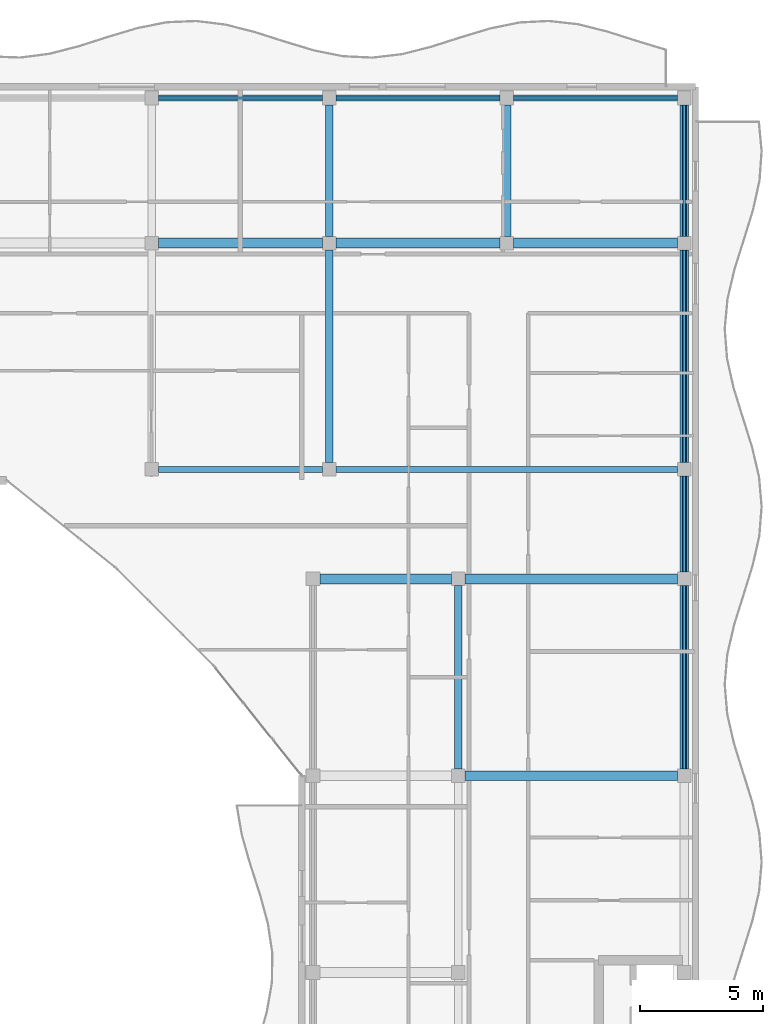
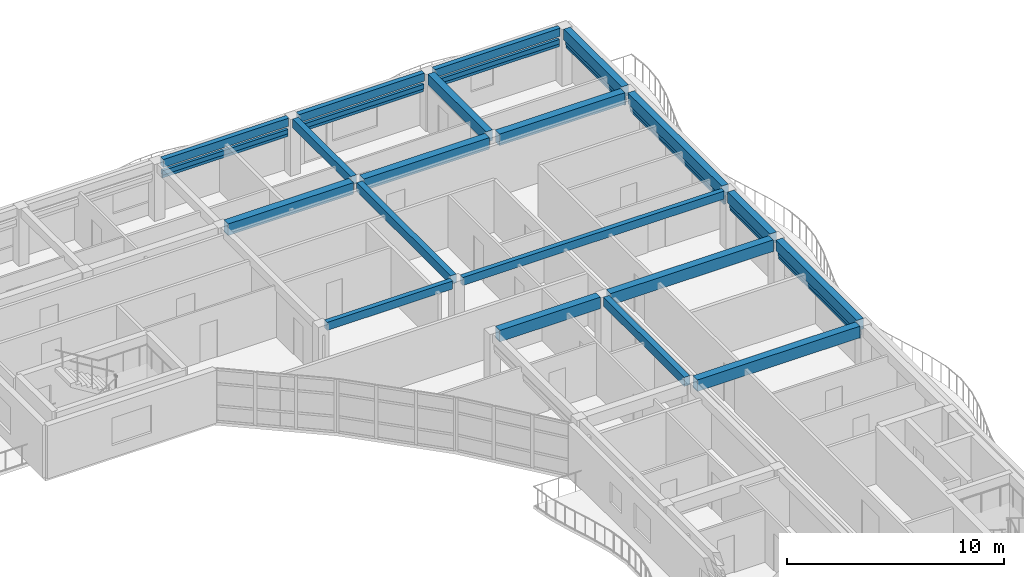
# One storey, part 18 of 49: 19 beams, 14 members.
"""IFC4 building model written with IfcOpenShell, lengths in metres."""

from ifc_helpers import new_model, si_unit, direction, frame, origin, origin_2d, place, context, subcontext, project, spatial, rectangle, hollow_rectangle, extrude, material, material_profile, profile_set, type_object, element, save


model = new_model("IFC4")

# Units and contexts
model_context = context("Model", 3, precision=1e-05, world=origin(), true_north=direction((0.0, 1.0)))
body_context = subcontext(model_context, "Body", "Model", "MODEL_VIEW")
ifc_project = project(units=[si_unit("LENGTHUNIT", "METRE"), si_unit("AREAUNIT", "SQUARE_METRE"), si_unit("VOLUMEUNIT", "CUBIC_METRE"), si_unit("PLANEANGLEUNIT", "RADIAN"), si_unit("MASSUNIT", "GRAM", prefix="KILO")], contexts=[model_context])

# Site, building, storey
site_placement = place(None, origin())
site = spatial("IfcSite", under=ifc_project, at=site_placement, CompositionType="ELEMENT")
building_placement = place(site_placement, origin())
building = spatial("IfcBuilding", under=site, at=building_placement, Name="Keldmere Railside Commons", CompositionType="ELEMENT")
storey_placement = place(building_placement, frame((0.0, 0.0, 29.760009765625)))
storey = spatial("IfcBuildingStorey", under=building, at=storey_placement, Name="L09", CompositionType="ELEMENT", Elevation=29.760009765625)

# Members
ifc_material_1 = material(Name="Steel F-36 (S355)", Category="steel")
ifc_material_profile_1 = material_profile(ifc_material_1, hollow_rectangle(XDim=0.14990234375, YDim=0.25, WallThickness=0.010009765625, at=origin_2d()), Name="RHS-250x150x10")
ifc_profile_set_1 = profile_set([ifc_material_profile_1], Name="Steel F-36 (S355)")
member_type_1 = type_object("IfcMemberType", Name="Balcony Continuous Planted Trough RHS250x150", PredefinedType="CHORD", material=ifc_profile_set_1)
for number, where, z_axis, x_axis, name in (
    (1, (162.1650390625, 115.550048828125, 2.4150390625), (1.0, 0.0, 0.0), (0.0, 1.0, 0.0), "PLT-1 MEM-BPLT-0961"),
    (2, (169.385009765625, 115.550048828125, 2.4150390625), (1.0, 0.0, 0.0), (0.0, 1.0, 0.0), "PLT-1 MEM-BPLT-0963"),
    (3, (176.60498046875, 115.550048828125, 2.4150390625), (1.0, 0.0, 0.0), (0.0, 1.0, 0.0), "PLT-1 MEM-BPLT-0965"),
):
    element("IfcMember", number, at=place(storey_placement, frame(where, z_axis=z_axis, x_axis=x_axis)), inside=storey, type_object=member_type_1, Name=name, PredefinedType="CHORD", context=body_context, shape_type="SweptSolid", body=[
        extrude(hollow_rectangle(XDim=0.14990234375, YDim=0.25, WallThickness=0.010009765625, at=origin_2d()), origin(), (0.0, 0.0, 1.0), 6.669921875),
    ])
member_1_placement = place(storey_placement, frame((183.550048828125, 88.27490234375, 2.4150390625), z_axis=(0.0, 1.0, 0.0), x_axis=(-1.0, 0.0, 0.0)))
element("IfcMember", 4, at=member_1_placement, inside=storey, type_object=member_type_1, Name="PLT-1 MEM-BPLT-0975", PredefinedType="CHORD", context=body_context, shape_type="SweptSolid", body=[
    extrude(hollow_rectangle(XDim=0.14990234375, YDim=0.25, WallThickness=0.010009765625, at=origin_2d()), origin(), (0.0, 0.0, 1.0), 7.4501953125),
])
member_2_placement = place(storey_placement, frame((183.550048828125, 96.27490234375, 2.4150390625), z_axis=(0.0, 1.0, 0.0), x_axis=(-1.0, 0.0, 0.0)))
element("IfcMember", 5, at=member_2_placement, inside=storey, type_object=member_type_1, Name="PLT-1 MEM-BPLT-0977", PredefinedType="CHORD", context=body_context, shape_type="SweptSolid", body=[
    extrude(hollow_rectangle(XDim=0.14990234375, YDim=0.25, WallThickness=0.010009765625, at=origin_2d()), origin(), (0.0, 0.0, 1.0), 3.900146484375),
])
member_3_placement = place(storey_placement, frame((183.550048828125, 100.72509765625, 2.4150390625), z_axis=(0.0, 1.0, 0.0), x_axis=(-1.0, 0.0, 0.0)))
element("IfcMember", 6, at=member_3_placement, inside=storey, type_object=member_type_1, Name="PLT-1 MEM-BPLT-0979", PredefinedType="CHORD", context=body_context, shape_type="SweptSolid", body=[
    extrude(hollow_rectangle(XDim=0.14990234375, YDim=0.25, WallThickness=0.010009765625, at=origin_2d()), origin(), (0.0, 0.0, 1.0), 8.64990234375),
])
member_4_placement = place(storey_placement, frame((183.550048828125, 109.925048828125, 2.4150390625), z_axis=(0.0, 1.0, 0.0), x_axis=(-1.0, 0.0, 0.0)))
element("IfcMember", 7, at=member_4_placement, inside=storey, type_object=member_type_1, Name="PLT-1 MEM-BPLT-0981", PredefinedType="CHORD", context=body_context, shape_type="SweptSolid", body=[
    extrude(hollow_rectangle(XDim=0.14990234375, YDim=0.25, WallThickness=0.010009765625, at=origin_2d()), origin(), (0.0, 0.0, 1.0), 5.349853515625),
])

# Beams
ifc_material_2 = material(Name="Architectural Precast Concrete H-35 (C35/45)", Category="concrete")
ifc_material_profile_2 = material_profile(ifc_material_2, rectangle(XDim=0.25, YDim=0.449951171875, at=origin_2d()), Name="RC-250x450")
ifc_profile_set_2 = profile_set([ifc_material_profile_2], Name="Architectural Precast Concrete H-35 (C35/45)")
beam_type_1 = type_object("IfcBeamType", Name="Perimeter Precast Spandrel Beam 250x450", PredefinedType="SPANDREL", material=ifc_profile_set_2)
beam_1_placement = place(storey_placement, frame((162.1650390625, 100.449951171875, 2.97509765625), z_axis=(1.0, 0.0, 0.0), x_axis=(0.0, 1.0, 0.0)))
element("IfcBeam", 8, at=beam_1_placement, inside=storey, type_object=beam_type_1, Name="SPB-1 BM-L09-2299", PredefinedType="SPANDREL", context=body_context, shape_type="SweptSolid", body=[
    extrude(rectangle(XDim=0.25, YDim=0.449951171875, at=origin_2d()), origin(), (0.0, 0.0, 1.0), 6.669921875),
])
beam_2_placement = place(storey_placement, frame((169.385009765625, 100.449951171875, 2.97509765625), z_axis=(1.0, 0.0, 0.0), x_axis=(0.0, 1.0, 0.0)))
element("IfcBeam", 9, at=beam_2_placement, inside=storey, type_object=beam_type_1, Name="SPB-1 BM-L09-2300", PredefinedType="SPANDREL", context=body_context, shape_type="SweptSolid", body=[
    extrude(rectangle(XDim=0.25, YDim=0.449951171875, at=origin_2d()), origin(), (0.0, 0.0, 1.0), 13.889892578125),
])
for number, where, z_axis, x_axis, name in (
    (10, (162.1650390625, 115.550048828125, 2.97509765625), (1.0, 0.0, 0.0), (0.0, 1.0, 0.0), "SPB-1 BM-L09-2319"),
    (11, (169.385009765625, 115.550048828125, 2.97509765625), (1.0, 0.0, 0.0), (0.0, 1.0, 0.0), "SPB-1 BM-L09-2320"),
    (12, (176.60498046875, 115.550048828125, 2.97509765625), (1.0, 0.0, 0.0), (0.0, 1.0, 0.0), "SPB-1 BM-L09-2321"),
):
    element("IfcBeam", number, at=place(storey_placement, frame(where, z_axis=z_axis, x_axis=x_axis)), inside=storey, type_object=beam_type_1, Name=name, PredefinedType="SPANDREL", context=body_context, shape_type="SweptSolid", body=[
        extrude(rectangle(XDim=0.25, YDim=0.449951171875, at=origin_2d()), origin(), (0.0, 0.0, 1.0), 6.669921875),
    ])
ifc_material_3 = material(Name="Concrete H-30 (C30/37)", Category="concrete")
ifc_material_profile_3 = material_profile(ifc_material_3, rectangle(XDim=0.35009765625, YDim=0.60009765625, at=origin_2d()), Name="RC-350x600")
ifc_profile_set_3 = profile_set([ifc_material_profile_3], Name="Concrete H-30 (C30/37)")
beam_type_2 = type_object("IfcBeamType", Name="Residential Chord RC Beam 350x600", PredefinedType="BEAM", material=ifc_profile_set_3)
beam_3_placement = place(storey_placement, frame((176.330078125, 109.925048828125, 2.89990234375), z_axis=(0.0, 1.0, 0.0), x_axis=(-1.0, 0.0, 0.0)))
element("IfcBeam", 13, at=beam_3_placement, inside=storey, type_object=beam_type_2, Name="BG-4 BM-L09-2361", PredefinedType="BEAM", context=body_context, shape_type="SweptSolid", body=[
    extrude(rectangle(XDim=0.35009765625, YDim=0.60009765625, at=origin_2d()), origin(), (0.0, 0.0, 1.0), 5.349853515625),
])
beam_4_placement = place(storey_placement, frame((183.550048828125, 88.27490234375, 2.89990234375), z_axis=(0.0, 1.0, 0.0), x_axis=(-1.0, 0.0, 0.0)))
element("IfcBeam", 14, at=beam_4_placement, inside=storey, type_object=beam_type_2, Name="BG-4 BM-L09-2363", PredefinedType="BEAM", context=body_context, shape_type="SweptSolid", body=[
    extrude(rectangle(XDim=0.35009765625, YDim=0.60009765625, at=origin_2d()), origin(), (0.0, 0.0, 1.0), 7.4501953125),
])
beam_5_placement = place(storey_placement, frame((183.550048828125, 96.27490234375, 2.89990234375), z_axis=(0.0, 1.0, 0.0), x_axis=(-1.0, 0.0, 0.0)))
element("IfcBeam", 15, at=beam_5_placement, inside=storey, type_object=beam_type_2, Name="BG-4 BM-L09-2364", PredefinedType="BEAM", context=body_context, shape_type="SweptSolid", body=[
    extrude(rectangle(XDim=0.35009765625, YDim=0.60009765625, at=origin_2d()), origin(), (0.0, 0.0, 1.0), 3.900146484375),
])
beam_6_placement = place(storey_placement, frame((183.550048828125, 100.72509765625, 2.89990234375), z_axis=(0.0, 1.0, 0.0), x_axis=(-1.0, 0.0, 0.0)))
element("IfcBeam", 16, at=beam_6_placement, inside=storey, type_object=beam_type_2, Name="BG-4 BM-L09-2365", PredefinedType="BEAM", context=body_context, shape_type="SweptSolid", body=[
    extrude(rectangle(XDim=0.35009765625, YDim=0.60009765625, at=origin_2d()), origin(), (0.0, 0.0, 1.0), 8.64990234375),
])
beam_7_placement = place(storey_placement, frame((183.550048828125, 109.925048828125, 2.89990234375), z_axis=(0.0, 1.0, 0.0), x_axis=(-1.0, 0.0, 0.0)))
element("IfcBeam", 17, at=beam_7_placement, inside=storey, type_object=beam_type_2, Name="BG-4 BM-L09-2366", PredefinedType="BEAM", context=body_context, shape_type="SweptSolid", body=[
    extrude(rectangle(XDim=0.35009765625, YDim=0.60009765625, at=origin_2d()), origin(), (0.0, 0.0, 1.0), 5.349853515625),
])
ifc_material_profile_4 = material_profile(ifc_material_3, rectangle(XDim=0.39990234375, YDim=0.64990234375, at=origin_2d()), Name="RC-400x650")
ifc_profile_set_4 = profile_set([ifc_material_profile_4], Name="Concrete H-30 (C30/37)")
beam_type_3 = type_object("IfcBeamType", Name="Residential Spine RC Girder 400x650", PredefinedType="BEAM", material=ifc_profile_set_4)
beam_8_placement = place(storey_placement, frame((174.625, 88.0, 2.875), z_axis=(1.0, 0.0, 0.0), x_axis=(0.0, 1.0, 0.0)))
element("IfcBeam", 18, at=beam_8_placement, inside=storey, type_object=beam_type_3, Name="BG-3 BM-L09-2285", PredefinedType="BEAM", context=body_context, shape_type="SweptSolid", body=[
    extrude(rectangle(XDim=0.39990234375, YDim=0.64990234375, at=origin_2d()), origin(), (0.0, 0.0, 1.0), 8.64990234375),
])
beam_9_placement = place(storey_placement, frame((168.72509765625, 96.0, 2.875), z_axis=(1.0, 0.0, 0.0), x_axis=(0.0, 1.0, 0.0)))
element("IfcBeam", 19, at=beam_9_placement, inside=storey, type_object=beam_type_3, Name="BG-3 BM-L09-2290", PredefinedType="BEAM", context=body_context, shape_type="SweptSolid", body=[
    extrude(rectangle(XDim=0.39990234375, YDim=0.64990234375, at=origin_2d()), origin(), (0.0, 0.0, 1.0), 5.349853515625),
])
beam_10_placement = place(storey_placement, frame((174.625, 96.0, 2.875), z_axis=(1.0, 0.0, 0.0), x_axis=(0.0, 1.0, 0.0)))
element("IfcBeam", 20, at=beam_10_placement, inside=storey, type_object=beam_type_3, Name="BG-3 BM-L09-2291", PredefinedType="BEAM", context=body_context, shape_type="SweptSolid", body=[
    extrude(rectangle(XDim=0.39990234375, YDim=0.64990234375, at=origin_2d()), origin(), (0.0, 0.0, 1.0), 8.64990234375),
])
for number, where, z_axis, x_axis, name in (
    (21, (162.1650390625, 109.64990234375, 2.875), (1.0, 0.0, 0.0), (0.0, 1.0, 0.0), "BG-3 BM-L09-2314"),
    (22, (169.385009765625, 109.64990234375, 2.875), (1.0, 0.0, 0.0), (0.0, 1.0, 0.0), "BG-3 BM-L09-2315"),
    (23, (176.60498046875, 109.64990234375, 2.875), (1.0, 0.0, 0.0), (0.0, 1.0, 0.0), "BG-3 BM-L09-2316"),
):
    element("IfcBeam", number, at=place(storey_placement, frame(where, z_axis=z_axis, x_axis=x_axis)), inside=storey, type_object=beam_type_3, Name=name, PredefinedType="BEAM", context=body_context, shape_type="SweptSolid", body=[
        extrude(rectangle(XDim=0.39990234375, YDim=0.64990234375, at=origin_2d()), origin(), (0.0, 0.0, 1.0), 6.669921875),
    ])
ifc_material_profile_5 = material_profile(ifc_material_3, rectangle(XDim=0.300048828125, YDim=0.5, at=origin_2d()), Name="RC-300x500")
ifc_profile_set_5 = profile_set([ifc_material_profile_5], Name="Concrete H-30 (C30/37)")
beam_type_4 = type_object("IfcBeamType", Name="Secondary Frame RC Beam 300x500", PredefinedType="BEAM", material=ifc_profile_set_5)
beam_11_placement = place(storey_placement, frame((169.110107421875, 100.72509765625, 2.949951171875), z_axis=(0.0, 1.0, 0.0), x_axis=(-1.0, 0.0, 0.0)))
element("IfcBeam", 24, at=beam_11_placement, inside=storey, type_object=beam_type_4, Name="BG-5 BM-L09-2355", PredefinedType="BEAM", context=body_context, shape_type="SweptSolid", body=[
    extrude(rectangle(XDim=0.300048828125, YDim=0.5, at=origin_2d()), origin(), (0.0, 0.0, 1.0), 8.64990234375),
])
beam_12_placement = place(storey_placement, frame((169.110107421875, 109.925048828125, 2.949951171875), z_axis=(0.0, 1.0, 0.0), x_axis=(-1.0, 0.0, 0.0)))
element("IfcBeam", 25, at=beam_12_placement, inside=storey, type_object=beam_type_4, Name="BG-5 BM-L09-2356", PredefinedType="BEAM", context=body_context, shape_type="SweptSolid", body=[
    extrude(rectangle(XDim=0.300048828125, YDim=0.5, at=origin_2d()), origin(), (0.0, 0.0, 1.0), 5.349853515625),
])
beam_13_placement = place(storey_placement, frame((174.35009765625, 88.27490234375, 2.949951171875), z_axis=(0.0, 1.0, 0.0), x_axis=(-1.0, 0.0, 0.0)))
element("IfcBeam", 26, at=beam_13_placement, inside=storey, type_object=beam_type_4, Name="BG-5 BM-L09-2360", PredefinedType="BEAM", context=body_context, shape_type="SweptSolid", body=[
    extrude(rectangle(XDim=0.300048828125, YDim=0.5, at=origin_2d()), origin(), (0.0, 0.0, 1.0), 7.4501953125),
])

# Members
ifc_material_profile_6 = material_profile(ifc_material_1, hollow_rectangle(XDim=0.10009765625, YDim=0.159912109375, WallThickness=0.008056640625, at=origin_2d()), Name="RHS-160x100x8")
ifc_profile_set_6 = profile_set([ifc_material_profile_6], Name="Steel F-36 (S355)")
member_type_2 = type_object("IfcMemberType", Name="Solar Brise-Soleil Louvre Fin RHS160x100", PredefinedType="STRUT", material=ifc_profile_set_6)
for number, where, z_axis, x_axis, name in (
    (27, (162.1650390625, 115.550048828125, 2.199951171875), (1.0, 0.0, 0.0), (0.0, 1.0, 0.0), "BSF-1 MEM-BSF-0962"),
    (28, (169.385009765625, 115.550048828125, 2.199951171875), (1.0, 0.0, 0.0), (0.0, 1.0, 0.0), "BSF-1 MEM-BSF-0964"),
    (29, (176.60498046875, 115.550048828125, 2.199951171875), (1.0, 0.0, 0.0), (0.0, 1.0, 0.0), "BSF-1 MEM-BSF-0966"),
):
    element("IfcMember", number, at=place(storey_placement, frame(where, z_axis=z_axis, x_axis=x_axis)), inside=storey, type_object=member_type_2, Name=name, PredefinedType="STRUT", context=body_context, shape_type="SweptSolid", body=[
        extrude(hollow_rectangle(XDim=0.10009765625, YDim=0.159912109375, WallThickness=0.008056640625, at=origin_2d()), origin(), (0.0, 0.0, 1.0), 6.669921875),
    ])
member_5_placement = place(storey_placement, frame((183.550048828125, 88.27490234375, 2.199951171875), z_axis=(0.0, 1.0, 0.0), x_axis=(-1.0, 0.0, 0.0)))
element("IfcMember", 30, at=member_5_placement, inside=storey, type_object=member_type_2, Name="BSF-1 MEM-BSF-0976", PredefinedType="STRUT", context=body_context, shape_type="SweptSolid", body=[
    extrude(hollow_rectangle(XDim=0.10009765625, YDim=0.159912109375, WallThickness=0.008056640625, at=origin_2d()), origin(), (0.0, 0.0, 1.0), 7.4501953125),
])
member_6_placement = place(storey_placement, frame((183.550048828125, 96.27490234375, 2.199951171875), z_axis=(0.0, 1.0, 0.0), x_axis=(-1.0, 0.0, 0.0)))
element("IfcMember", 31, at=member_6_placement, inside=storey, type_object=member_type_2, Name="BSF-1 MEM-BSF-0978", PredefinedType="STRUT", context=body_context, shape_type="SweptSolid", body=[
    extrude(hollow_rectangle(XDim=0.10009765625, YDim=0.159912109375, WallThickness=0.008056640625, at=origin_2d()), origin(), (0.0, 0.0, 1.0), 3.900146484375),
])
member_7_placement = place(storey_placement, frame((183.550048828125, 100.72509765625, 2.199951171875), z_axis=(0.0, 1.0, 0.0), x_axis=(-1.0, 0.0, 0.0)))
element("IfcMember", 32, at=member_7_placement, inside=storey, type_object=member_type_2, Name="BSF-1 MEM-BSF-0980", PredefinedType="STRUT", context=body_context, shape_type="SweptSolid", body=[
    extrude(hollow_rectangle(XDim=0.10009765625, YDim=0.159912109375, WallThickness=0.008056640625, at=origin_2d()), origin(), (0.0, 0.0, 1.0), 8.64990234375),
])
member_8_placement = place(storey_placement, frame((183.550048828125, 109.925048828125, 2.199951171875), z_axis=(0.0, 1.0, 0.0), x_axis=(-1.0, 0.0, 0.0)))
element("IfcMember", 33, at=member_8_placement, inside=storey, type_object=member_type_2, Name="BSF-1 MEM-BSF-0982", PredefinedType="STRUT", context=body_context, shape_type="SweptSolid", body=[
    extrude(hollow_rectangle(XDim=0.10009765625, YDim=0.159912109375, WallThickness=0.008056640625, at=origin_2d()), origin(), (0.0, 0.0, 1.0), 5.349853515625),
])

save(model, "model.ifc")
